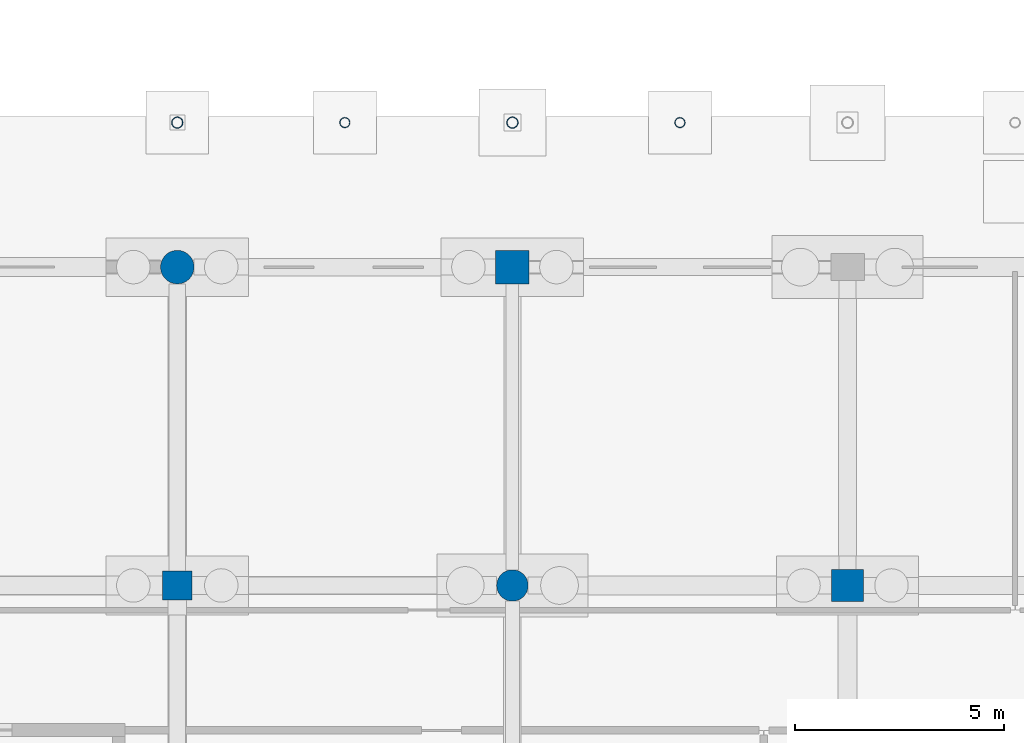
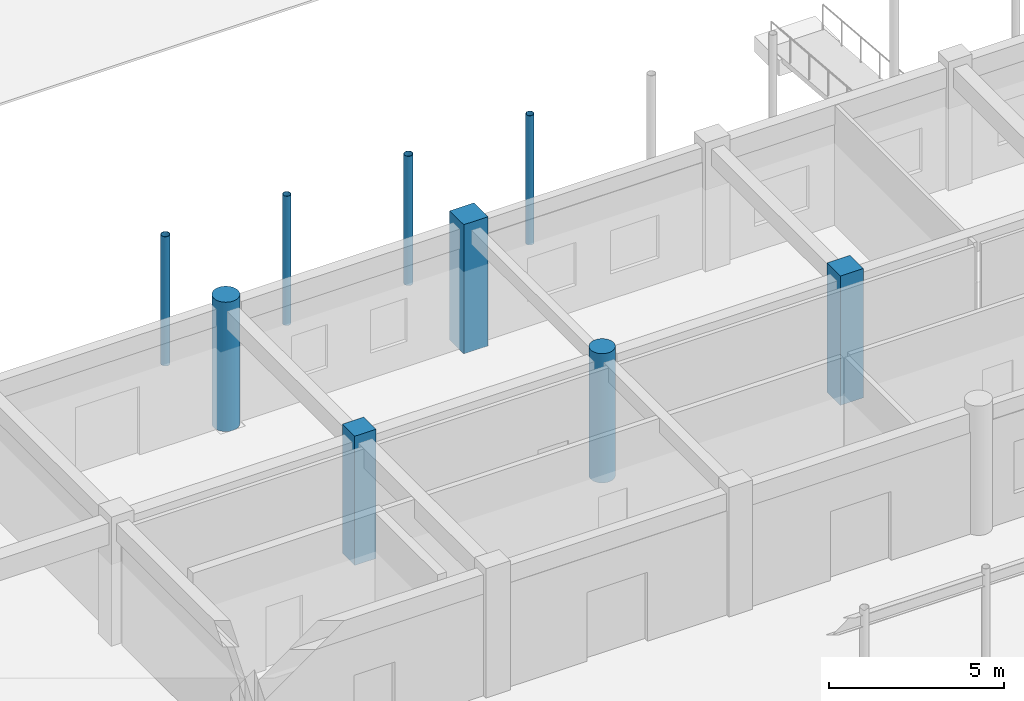
# One storey, part 22 of 166: 9 columns.
"""IFC4 building model written with IfcOpenShell, lengths in metres."""

import ifcopenshell
import ifcopenshell.guid

model = None  # the IFC model being written
_history = None  # IfcOwnerHistory: only IFC2X3 demands one
_inside = {}  # id of a spatial element -> (the spatial element, [elements in it])
_under = {}  # id of a project, library or spatial element -> (it, [spatial elements below it])
_declared = {}  # id of a project -> (the project, [libraries it declares])
_typed = {}  # id of a type object -> (the type object, [elements of that type])
_made_of = {}  # id of a material, layer set ... -> (it, [elements and type objects made of it])


def new_model(schema):
    """Start an empty IFC model of exactly this schema.

    Asked for "IFC4X3", IfcOpenShell would pick the latest addendum, in which some entities
    have other attributes; the version numbers below select the first issue.
    IFC2X3 requires an IfcOwnerHistory on every rooted entity: one is made here for all.
    """
    global model, _history
    if schema == "IFC4X3":
        model = ifcopenshell.file(schema_version=(4, 3, 0, 0))
    else:
        model = ifcopenshell.file(schema=schema)
    _inside.clear()
    _under.clear()
    _declared.clear()
    _typed.clear()
    _made_of.clear()
    _history = None
    if model.schema == "IFC2X3":
        org = make("IfcOrganization", Name="unknown")
        user = make(
            "IfcPersonAndOrganization",
            ThePerson=make("IfcPerson", FamilyName="unknown"),
            TheOrganization=org,
        )
        app = make(
            "IfcApplication",
            ApplicationDeveloper=org,
            Version="unknown",
            ApplicationFullName="unknown",
            ApplicationIdentifier="unknown",
        )
        _history = make(
            "IfcOwnerHistory",
            OwningUser=user,
            OwningApplication=app,
            ChangeAction="ADDED",
            CreationDate=0,
        )
    return model


def make(cls, **values):
    """One entity of the class cls with the attributes given. An attribute that is None is left unset."""
    return model.create_entity(
        cls, **{name: value for name, value in values.items() if value is not None}
    )


def rooted(cls, **values):
    """An entity with a GlobalId (a new one), such as an element, a storey or a relation."""
    return make(cls, GlobalId=ifcopenshell.guid.new(), OwnerHistory=_history, **values)


def si_unit(unit_type, name, prefix=None):
    """IfcSIUnit, for example si_unit("LENGTHUNIT", "METRE", prefix="MILLI")."""
    return make("IfcSIUnit", UnitType=unit_type, Prefix=prefix, Name=name)


def assignment(units):
    """IfcUnitAssignment: the units of a project."""
    return None if units is None else make("IfcUnitAssignment", Units=units)


def point(xyz):
    """IfcCartesianPoint."""
    return None if xyz is None else make("IfcCartesianPoint", Coordinates=xyz)


def direction(xyz):
    """IfcDirection."""
    return None if xyz is None else make("IfcDirection", DirectionRatios=xyz)


def frame(location, z_axis=None, x_axis=None):
    """IfcAxis2Placement3D, a coordinate frame: its origin and axes. An axis left out is left unset."""
    return make(
        "IfcAxis2Placement3D",
        Location=point(location),
        Axis=direction(z_axis),
        RefDirection=direction(x_axis),
    )


def frame_2d(location, x_axis=None):
    """IfcAxis2Placement2D, a coordinate frame in the plane: its origin and x axis."""
    return make(
        "IfcAxis2Placement2D", Location=point(location), RefDirection=direction(x_axis)
    )


def origin():
    """The frame at (0, 0, 0) with its axes left unset."""
    return frame((0.0, 0.0, 0.0))


def origin_2d():
    """The frame at (0, 0) in the plane with its x axis left unset."""
    return frame_2d((0.0, 0.0))


def place(relative_to, where):
    """IfcLocalPlacement: puts the frame where relative to a parent placement (None: the world)."""
    return make(
        "IfcLocalPlacement", PlacementRelTo=relative_to, RelativePlacement=where
    )


def context(
    kind, dimensions, precision=None, world=None, true_north=None, identifier=None
):
    """IfcGeometricRepresentationContext, for example the 3D "Model" context."""
    return make(
        "IfcGeometricRepresentationContext",
        ContextIdentifier=identifier,
        ContextType=kind,
        CoordinateSpaceDimension=dimensions,
        Precision=precision,
        WorldCoordinateSystem=world,
        TrueNorth=true_north,
    )


def subcontext(parent, identifier, kind, view, scale=None):
    """IfcGeometricRepresentationSubContext, for example "Body" below "Model"."""
    return make(
        "IfcGeometricRepresentationSubContext",
        ContextIdentifier=identifier,
        ContextType=kind,
        ParentContext=parent,
        TargetScale=scale,
        TargetView=view,
    )


def project(units=None, contexts=None):
    """IfcProject with its units and contexts."""
    return rooted(
        "IfcProject",
        Name="project",
        RepresentationContexts=contexts,
        UnitsInContext=assignment(units),
    )


def spatial(cls, under=None, at=None, **own):
    """A site, building, storey or space (cls), placed at a placement, below another one or the project."""
    s = rooted(cls, ObjectPlacement=at, **own)
    if under is not None:
        _under.setdefault(under.id(), (under, []))[1].append(s)
    return s


def profile(cls, at=None, kind="AREA", **sizes):
    """A parametric profile (cls). Its sizes go by their IFC names, for example OverallWidth=200.0."""
    return make(cls, ProfileType=kind, Position=at, **sizes)


def rectangle(**sizes):
    """IfcRectangleProfileDef."""
    return profile("IfcRectangleProfileDef", **sizes)


def circle(**sizes):
    """IfcCircleProfileDef."""
    return profile("IfcCircleProfileDef", **sizes)


def hollow_circle(**sizes):
    """IfcCircleHollowProfileDef."""
    return profile("IfcCircleHollowProfileDef", **sizes)


def extrude(swept, where, along, depth):
    """IfcExtrudedAreaSolid: the profile swept, set in the frame where, extruded along a direction by depth."""
    return make(
        "IfcExtrudedAreaSolid",
        SweptArea=swept,
        Position=where,
        ExtrudedDirection=direction(along),
        Depth=depth,
    )


def shape(context_of_items, identifier, shape_type, items):
    """IfcShapeRepresentation: the items that make up one representation, for example the "Body"."""
    return make(
        "IfcShapeRepresentation",
        ContextOfItems=context_of_items,
        RepresentationIdentifier=identifier,
        RepresentationType=shape_type,
        Items=items,
    )


def material(Name=None, Category=None):
    """IfcMaterial."""
    return make("IfcMaterial", Name=Name, Category=Category)


def material_profile(
    of_material, cross_section, Name=None, Category=None, Priority=None
):
    """IfcMaterialProfile: a cross section and its material."""
    return make(
        "IfcMaterialProfile",
        Name=Name,
        Material=of_material,
        Profile=cross_section,
        Priority=Priority,
        Category=Category,
    )


def profile_set(profiles, Name=None, composite=None):
    """IfcMaterialProfileSet."""
    return make(
        "IfcMaterialProfileSet",
        Name=Name,
        MaterialProfiles=profiles,
        CompositeProfile=composite,
    )


def made_of(thing, what):
    """Note that an element or type object is made of a material, layer set ...; save() writes the relation."""
    if what is not None:
        _made_of.setdefault(what.id(), (what, []))[1].append(thing)
    return thing


def type_object(cls, material=None, **own):
    """A type object (cls), such as IfcWallType, which elements share."""
    return made_of(rooted(cls, **own), material)


def element(
    cls,
    number,
    at=None,
    inside=None,
    cuts=None,
    type_object=None,
    material=None,
    context=None,
    identifier="Body",
    shape_type=None,
    held_by="IfcProductDefinitionShape",
    body=None,
    shapes=None,
    **own,
):
    """One element of the class cls, such as IfcWall. Its Tag is "e" and its number.

    at: its placement. inside: the storey or other place that contains it. cuts: it is an
    opening in that element (IfcRelVoidsElement). A single representation is given by context,
    identifier, shape_type and body (its items); several are given by shapes. held_by: the class
    of the entity that holds the representations. save() writes the other relations.
    """
    e = rooted(cls, Tag="e%d" % number, ObjectPlacement=at, **own)
    if body is not None:
        shapes = [shape(context, identifier, shape_type, body)]
    if shapes is not None:
        e.Representation = make(held_by, Representations=shapes)
    if inside is not None:
        _inside.setdefault(inside.id(), (inside, []))[1].append(e)
    if cuts is not None:
        rooted(
            "IfcRelVoidsElement", RelatingBuildingElement=cuts, RelatedOpeningElement=e
        )
    if type_object is not None:
        _typed.setdefault(type_object.id(), (type_object, []))[1].append(e)
    return made_of(e, material)


def aggregate(whole, parts):
    """IfcRelAggregates: a whole, such as a stair, and the parts it consists of."""
    return rooted("IfcRelAggregates", RelatingObject=whole, RelatedObjects=parts)


def save(model, path):
    """Write the relations noted so far, then the file.

    IfcRelAggregates (storeys below a building ...), IfcRelContainedInSpatialStructure (elements
    in a storey), IfcRelDefinesByType, IfcRelAssociatesMaterial and IfcRelDeclares: one each for
    every whole, place, type object, material and project.
    """
    for whole, parts in _under.values():
        aggregate(whole, parts)
    for where, things in _inside.values():
        rooted(
            "IfcRelContainedInSpatialStructure",
            RelatedElements=things,
            RelatingStructure=where,
        )
    for kind, things in _typed.values():
        rooted("IfcRelDefinesByType", RelatedObjects=things, RelatingType=kind)
    for what, things in _made_of.values():
        rooted("IfcRelAssociatesMaterial", RelatedObjects=things, RelatingMaterial=what)
    for by, libraries in _declared.values():
        rooted("IfcRelDeclares", RelatingContext=by, RelatedDefinitions=libraries)
    model.write(path)


model = new_model("IFC4")

# Units and contexts
model_context = context("Model", 3, precision=1e-05, world=origin(), true_north=direction((0.0, 1.0)))
body_context = subcontext(model_context, "Body", "Model", "MODEL_VIEW")
ifc_project = project(units=[si_unit("LENGTHUNIT", "METRE"), si_unit("AREAUNIT", "SQUARE_METRE"), si_unit("VOLUMEUNIT", "CUBIC_METRE"), si_unit("PLANEANGLEUNIT", "RADIAN"), si_unit("MASSUNIT", "GRAM", prefix="KILO")], contexts=[model_context])

# Site, building, storey
site_placement = place(None, origin())
site = spatial("IfcSite", under=ifc_project, at=site_placement, CompositionType="ELEMENT")
building_placement = place(site_placement, origin())
building = spatial("IfcBuilding", under=site, at=building_placement, Name="Kharva Crest Polytechnic", CompositionType="ELEMENT")
storey_placement = place(building_placement, origin())
storey = spatial("IfcBuildingStorey", under=building, at=storey_placement, Name="L00", CompositionType="ELEMENT", Elevation=0.0)

# Columns
ifc_material_1 = material(Name="Concrete C40/50", Category="concrete")
ifc_material_profile_1 = material_profile(ifc_material_1, rectangle(XDim=0.800048828125, YDim=0.800048828125, at=origin_2d()), Name="RECT 800 X 800")
ifc_profile_set_1 = profile_set([ifc_material_profile_1], Name="Concrete C40/50")
column_type_1 = type_object("IfcColumnType", Name="COL-EXT-800X800", PredefinedType="COLUMN", material=ifc_profile_set_1)
column_1_placement = place(storey_placement, frame((72.0, 22.800048828125, 0.0), z_axis=(0.0, 0.0, 1.0), x_axis=(1.0, 0.0, 0.0)))
element("IfcColumn", 1, at=column_1_placement, inside=storey, type_object=column_type_1, Name="L00 Column 10/D", PredefinedType="COLUMN", context=body_context, shape_type="SweptSolid", body=[
    extrude(rectangle(XDim=0.800048828125, YDim=0.800048828125, at=origin_2d()), origin(), (0.0, 0.0, 1.0), 4.5),
])
ifc_material_profile_2 = material_profile(ifc_material_1, circle(Radius=0.39990234375, at=origin_2d()), Name="DIA 800")
ifc_profile_set_2 = profile_set([ifc_material_profile_2], Name="Concrete C40/50")
column_type_2 = type_object("IfcColumnType", Name="COL-EXT-DIA800", PredefinedType="COLUMN", material=ifc_profile_set_2)
column_2_placement = place(storey_placement, frame((64.0, 22.800048828125, 0.0), z_axis=(0.0, 0.0, 1.0), x_axis=(1.0, 0.0, 0.0)))
element("IfcColumn", 2, at=column_2_placement, inside=storey, type_object=column_type_2, Name="L00 Column 9/D", PredefinedType="COLUMN", context=body_context, shape_type="SweptSolid", body=[
    extrude(circle(Radius=0.39990234375, at=origin_2d()), origin(), (0.0, 0.0, 1.0), 4.5),
])
ifc_material_profile_3 = material_profile(ifc_material_1, rectangle(XDim=0.699951171875, YDim=0.699951171875, at=origin_2d()), Name="RECT 700 X 700")
ifc_profile_set_3 = profile_set([ifc_material_profile_3], Name="Concrete C40/50")
column_type_3 = type_object("IfcColumnType", Name="COL-INT-700X700", PredefinedType="COLUMN", material=ifc_profile_set_3)
column_3_placement = place(storey_placement, frame((64.0, 15.199951171875, 0.0), z_axis=(0.0, 0.0, 1.0), x_axis=(1.0, 0.0, 0.0)))
element("IfcColumn", 3, at=column_3_placement, inside=storey, type_object=column_type_3, Name="L00 Column 9/C", PredefinedType="COLUMN", context=body_context, shape_type="SweptSolid", body=[
    extrude(rectangle(XDim=0.699951171875, YDim=0.699951171875, at=origin_2d()), origin(), (0.0, 0.0, 1.0), 4.5),
])
ifc_material_profile_4 = material_profile(ifc_material_1, rectangle(XDim=0.760009765625, YDim=0.760009765625, at=origin_2d()), Name="RECT 760 X 760")
ifc_profile_set_4 = profile_set([ifc_material_profile_4], Name="Concrete C40/50")
column_type_4 = type_object("IfcColumnType", Name="COL-INT-760X760", PredefinedType="COLUMN", material=ifc_profile_set_4)
column_4_placement = place(storey_placement, frame((80.0, 15.199951171875, 0.0), z_axis=(0.0, 0.0, 1.0), x_axis=(1.0, 0.0, 0.0)))
element("IfcColumn", 4, at=column_4_placement, inside=storey, type_object=column_type_4, Name="L00 Column 11/C", PredefinedType="COLUMN", context=body_context, shape_type="SweptSolid", body=[
    extrude(rectangle(XDim=0.760009765625, YDim=0.760009765625, at=origin_2d()), origin(), (0.0, 0.0, 1.0), 4.5),
])
ifc_material_profile_5 = material_profile(ifc_material_1, circle(Radius=0.375, at=origin_2d()), Name="DIA 750")
ifc_profile_set_5 = profile_set([ifc_material_profile_5], Name="Concrete C40/50")
column_type_5 = type_object("IfcColumnType", Name="COL-INT-DIA750", PredefinedType="COLUMN", material=ifc_profile_set_5)
column_5_placement = place(storey_placement, frame((72.0, 15.199951171875, 0.0), z_axis=(0.0, 0.0, 1.0), x_axis=(1.0, 0.0, 0.0)))
element("IfcColumn", 5, at=column_5_placement, inside=storey, type_object=column_type_5, Name="L00 Column 10/C", PredefinedType="COLUMN", context=body_context, shape_type="SweptSolid", body=[
    extrude(circle(Radius=0.375, at=origin_2d()), origin(), (0.0, 0.0, 1.0), 4.5),
])
ifc_material_2 = material(Name="Steel S355", Category="steel")
ifc_material_profile_6 = material_profile(ifc_material_2, hollow_circle(Radius=0.122314453125, WallThickness=0.010009765625, at=origin_2d()), Name="CHS 244.5X10.0")
ifc_profile_set_6 = profile_set([ifc_material_profile_6], Name="Steel S355")
column_type_6 = type_object("IfcColumnType", Name="COL-STL-CHS244", PredefinedType="COLUMN", material=ifc_profile_set_6)
for number, where, z_axis, x_axis, name in (
    (6, (68.0, 26.25, 0.0), (0.0, 0.0, 1.0), (1.0, 0.0, 0.0), "L00 Colonnade Mid Column VSM01"),
    (7, (76.0, 26.25, 0.0), (0.0, 0.0, 1.0), (1.0, 0.0, 0.0), "L00 Colonnade Mid Column VSM02"),
):
    element("IfcColumn", number, at=place(storey_placement, frame(where, z_axis=z_axis, x_axis=x_axis)), inside=storey, type_object=column_type_6, Name=name, PredefinedType="COLUMN", context=body_context, shape_type="SweptSolid", body=[
        extrude(hollow_circle(Radius=0.122314453125, WallThickness=0.010009765625, at=origin_2d()), origin(), (0.0, 0.0, 1.0), 4.5),
    ])
ifc_material_profile_7 = material_profile(ifc_material_2, hollow_circle(Radius=0.136474609375, WallThickness=0.012451171875, at=origin_2d()), Name="CHS 273.0X12.5")
ifc_profile_set_7 = profile_set([ifc_material_profile_7], Name="Steel S355")
column_type_7 = type_object("IfcColumnType", Name="COL-STL-CHS273", PredefinedType="COLUMN", material=ifc_profile_set_7)
for number, where, z_axis, x_axis, name in (
    (8, (64.0, 26.25, 0.0), (0.0, 0.0, 1.0), (1.0, 0.0, 0.0), "L00 Colonnade Column VS01"),
    (9, (72.0, 26.25, 0.0), (0.0, 0.0, 1.0), (1.0, 0.0, 0.0), "L00 Colonnade Column VS02"),
):
    element("IfcColumn", number, at=place(storey_placement, frame(where, z_axis=z_axis, x_axis=x_axis)), inside=storey, type_object=column_type_7, Name=name, PredefinedType="COLUMN", context=body_context, shape_type="SweptSolid", body=[
        extrude(hollow_circle(Radius=0.136474609375, WallThickness=0.012451171875, at=origin_2d()), origin(), (0.0, 0.0, 1.0), 4.5),
    ])

save(model, "model.ifc")
